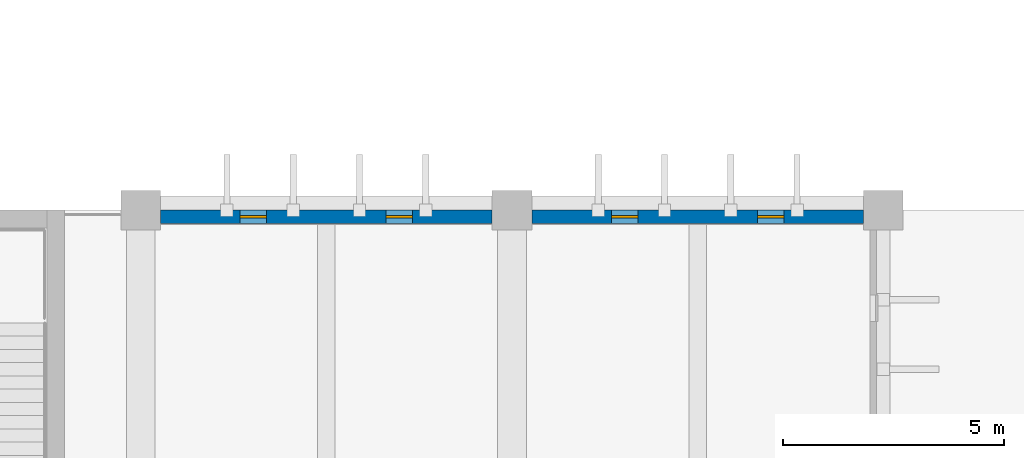
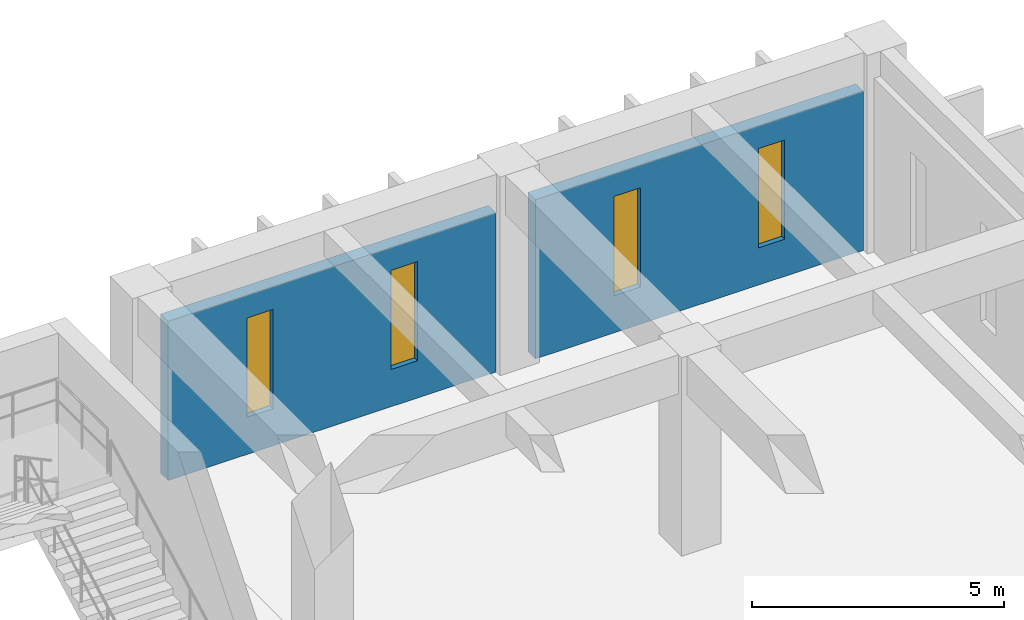
# One storey, part 39 of 52: 4 windows, 2 walls, 4 openings.
"""IFC4 building model written with IfcOpenShell, lengths in metres."""

from ifc_helpers import new_model, si_unit, direction, frame, frame_2d, origin, place, context, subcontext, project, spatial, rectangle, extrude, material, layer, layer_set, type_object, element, fill, save


model = new_model("IFC4")

# Units and contexts
model_context = context("Model", 3, precision=1e-05, world=origin(), true_north=direction((0.0, 1.0)))
body_context = subcontext(model_context, "Body", "Model", "MODEL_VIEW")
ifc_project = project(units=[si_unit("LENGTHUNIT", "METRE"), si_unit("AREAUNIT", "SQUARE_METRE"), si_unit("VOLUMEUNIT", "CUBIC_METRE"), si_unit("PLANEANGLEUNIT", "RADIAN"), si_unit("MASSUNIT", "GRAM", prefix="KILO")], contexts=[model_context])

# Site, building, storey
site_placement = place(None, origin())
site = spatial("IfcSite", under=ifc_project, at=site_placement, CompositionType="ELEMENT")
building_placement = place(site_placement, origin())
building = spatial("IfcBuilding", under=site, at=building_placement, Name="Kenerak Square Central Library", CompositionType="ELEMENT")
storey_placement = place(building_placement, frame((0.0, 0.0, 4.800048828125)))
storey = spatial("IfcBuildingStorey", under=building, at=storey_placement, Name="L01", CompositionType="ELEMENT", Elevation=4.800048828125)

# Wall, openings, windows
ifc_material_1 = material(Name="Concrete C40/50", Category="concrete")
ifc_layer = layer(ifc_material_1, 0.300048828125)
ifc_layer_set = layer_set([ifc_layer], Name="Concrete C40/50")
wall_type = type_object("IfcWallType", Name="Board-Marked Brutalist Facade Wall EW-300 C40/50", PredefinedType="SOLIDWALL", material=ifc_layer_set)
wall_1_placement = place(storey_placement, frame((117.64990234375, 110.25, 0.0), z_axis=(0.0, 0.0, 1.0), x_axis=(1.0, 0.0, 0.0)))
wall_1 = element("IfcWall", 1, at=wall_1_placement, inside=storey, type_object=wall_type, Name="Exterior Facade Wall L01 0122", PredefinedType="SOLIDWALL", context=body_context, shape_type="SweptSolid", body=[
    extrude(rectangle(XDim=7.5, YDim=0.300048828125, at=frame_2d((3.75, 0.0))), origin(), (0.0, 0.0, 1.0), 3.849853515625),
])
opening_1_placement = place(wall_1_placement, frame((1.800048828125, 0.0, 0.89990234375)))
opening_1 = element("IfcOpeningElement", 2, at=opening_1_placement, cuts=wall_1, Name="Opening W-01", PredefinedType="OPENING", context=body_context, shape_type="SweptSolid", body=[
    extrude(rectangle(XDim=0.60009765625, YDim=2.39990234375, at=frame_2d((0.300048828125, 1.199951171875))), frame((0.0, 0.159912109375, 0.0), z_axis=(0.0, -1.0, 0.0), x_axis=(1.0, 0.0, 0.0)), (0.0, 0.0, 1.0), 0.320068359375),
])
opening_2_placement = place(wall_1_placement, frame((5.10009765625, 0.0, 0.89990234375)))
opening_2 = element("IfcOpeningElement", 3, at=opening_2_placement, cuts=wall_1, Name="Opening W-01", PredefinedType="OPENING", context=body_context, shape_type="SweptSolid", body=[
    extrude(rectangle(XDim=0.60009765625, YDim=2.39990234375, at=frame_2d((0.300048828125, 1.199951171875))), frame((0.0, 0.159912109375, 0.0), z_axis=(0.0, -1.0, 0.0), x_axis=(1.0, 0.0, 0.0)), (0.0, 0.0, 1.0), 0.320068359375),
])
ifc_material_2 = material(Name="Solar-control low-E laminated double glazing", Category="glass")
window_type = type_object("IfcWindowType", Name="UV-Filtered Stack Slot Window W-01 600x2400", PartitioningType="SINGLE_PANEL", PredefinedType="WINDOW", material=ifc_material_2)
window_1_placement = place(opening_1_placement, origin())
window_1 = element("IfcWindow", 4, at=window_1_placement, inside=storey, type_object=window_type, Name="Window W-01 L01 0104", OverallHeight=2.39990234375, OverallWidth=0.60009765625, PartitioningType="SINGLE_PANEL", PredefinedType="WINDOW", context=body_context, shape_type="SweptSolid", body=[
    extrude(rectangle(XDim=0.60009765625, YDim=2.39990234375, at=frame_2d((0.300048828125, 1.199951171875))), frame((0.0, 0.030029296875, 0.0), z_axis=(0.0, -1.0, 0.0), x_axis=(1.0, 0.0, 0.0)), (0.0, 0.0, 1.0), 0.06005859375),
])
fill(opening_1, window_1)
window_2_placement = place(opening_2_placement, origin())
window_2 = element("IfcWindow", 5, at=window_2_placement, inside=storey, type_object=window_type, Name="Window W-01 L01 0105", OverallHeight=2.39990234375, OverallWidth=0.60009765625, PartitioningType="SINGLE_PANEL", PredefinedType="WINDOW", context=body_context, shape_type="SweptSolid", body=[
    extrude(rectangle(XDim=0.60009765625, YDim=2.39990234375, at=frame_2d((0.300048828125, 1.199951171875))), frame((0.0, 0.030029296875, 0.0), z_axis=(0.0, -1.0, 0.0), x_axis=(1.0, 0.0, 0.0)), (0.0, 0.0, 1.0), 0.06005859375),
])
fill(opening_2, window_2)

wall_2_placement = place(storey_placement, frame((126.050048828125, 110.25, 0.0), z_axis=(0.0, 0.0, 1.0), x_axis=(1.0, 0.0, 0.0)))
wall_2 = element("IfcWall", 6, at=wall_2_placement, inside=storey, type_object=wall_type, Name="Exterior Facade Wall L01 0123", PredefinedType="SOLIDWALL", context=body_context, shape_type="SweptSolid", body=[
    extrude(rectangle(XDim=7.5, YDim=0.300048828125, at=frame_2d((3.75, 0.0))), origin(), (0.0, 0.0, 1.0), 3.849853515625),
])
opening_3_placement = place(wall_2_placement, frame((1.800048828125, 0.0, 0.89990234375)))
opening_3 = element("IfcOpeningElement", 7, at=opening_3_placement, cuts=wall_2, Name="Opening W-01", PredefinedType="OPENING", context=body_context, shape_type="SweptSolid", body=[
    extrude(rectangle(XDim=0.60009765625, YDim=2.39990234375, at=frame_2d((0.300048828125, 1.199951171875))), frame((0.0, 0.159912109375, 0.0), z_axis=(0.0, -1.0, 0.0), x_axis=(1.0, 0.0, 0.0)), (0.0, 0.0, 1.0), 0.320068359375),
])
opening_4_placement = place(wall_2_placement, frame((5.10009765625, 0.0, 0.89990234375)))
opening_4 = element("IfcOpeningElement", 8, at=opening_4_placement, cuts=wall_2, Name="Opening W-01", PredefinedType="OPENING", context=body_context, shape_type="SweptSolid", body=[
    extrude(rectangle(XDim=0.60009765625, YDim=2.39990234375, at=frame_2d((0.300048828125, 1.199951171875))), frame((0.0, 0.159912109375, 0.0), z_axis=(0.0, -1.0, 0.0), x_axis=(1.0, 0.0, 0.0)), (0.0, 0.0, 1.0), 0.320068359375),
])
window_3_placement = place(opening_3_placement, origin())
window_3 = element("IfcWindow", 9, at=window_3_placement, inside=storey, type_object=window_type, Name="Window W-01 L01 0106", OverallHeight=2.39990234375, OverallWidth=0.60009765625, PartitioningType="SINGLE_PANEL", PredefinedType="WINDOW", context=body_context, shape_type="SweptSolid", body=[
    extrude(rectangle(XDim=0.60009765625, YDim=2.39990234375, at=frame_2d((0.300048828125, 1.199951171875))), frame((0.0, 0.030029296875, 0.0), z_axis=(0.0, -1.0, 0.0), x_axis=(1.0, 0.0, 0.0)), (0.0, 0.0, 1.0), 0.06005859375),
])
fill(opening_3, window_3)
window_4_placement = place(opening_4_placement, origin())
window_4 = element("IfcWindow", 10, at=window_4_placement, inside=storey, type_object=window_type, Name="Window W-01 L01 0107", OverallHeight=2.39990234375, OverallWidth=0.60009765625, PartitioningType="SINGLE_PANEL", PredefinedType="WINDOW", context=body_context, shape_type="SweptSolid", body=[
    extrude(rectangle(XDim=0.60009765625, YDim=2.39990234375, at=frame_2d((0.300048828125, 1.199951171875))), frame((0.0, 0.030029296875, 0.0), z_axis=(0.0, -1.0, 0.0), x_axis=(1.0, 0.0, 0.0)), (0.0, 0.0, 1.0), 0.06005859375),
])
fill(opening_4, window_4)

save(model, "model.ifc")
